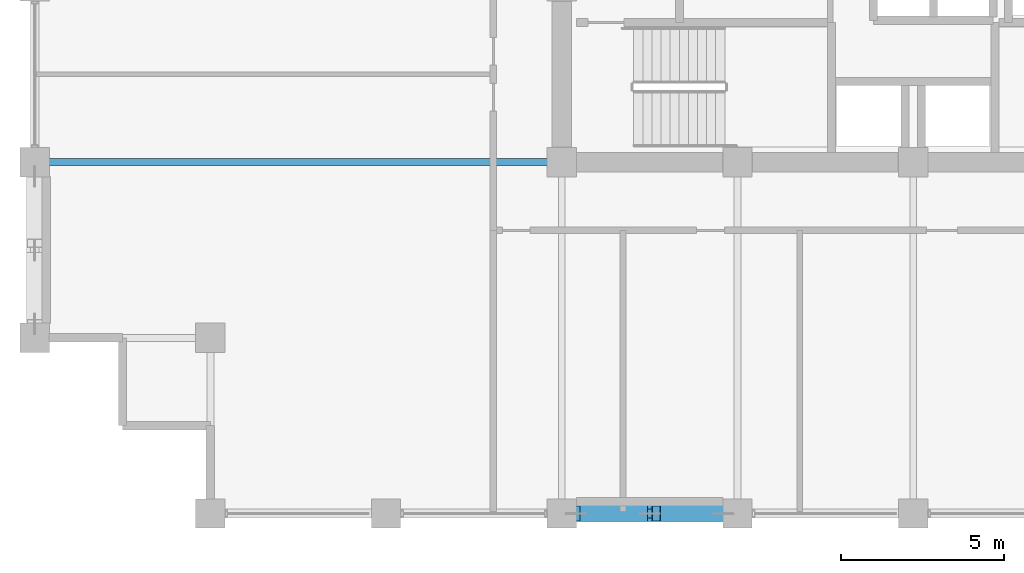
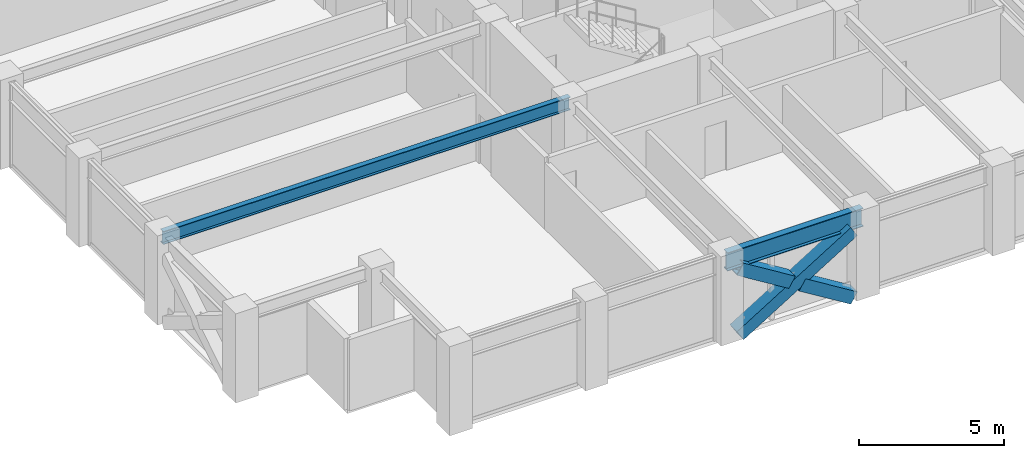
# One storey, part 5 of 32: 3 members, 2 beams.
"""IFC4 building model written with IfcOpenShell, lengths in metres."""

from ifc_helpers import new_model, si_unit, direction, frame, origin, origin_2d, place, context, subcontext, project, spatial, hollow_rectangle, i_section, extrude, material, material_profile, profile_set, type_object, element, save


model = new_model("IFC4")

# Units and contexts
model_context = context("Model", 3, precision=1e-05, world=origin(), true_north=direction((0.0, 1.0)))
body_context = subcontext(model_context, "Body", "Model", "MODEL_VIEW")
ifc_project = project(units=[si_unit("LENGTHUNIT", "METRE"), si_unit("AREAUNIT", "SQUARE_METRE"), si_unit("VOLUMEUNIT", "CUBIC_METRE"), si_unit("PLANEANGLEUNIT", "RADIAN"), si_unit("MASSUNIT", "GRAM", prefix="KILO")], contexts=[model_context])

# Site, building, storey
site_placement = place(None, origin())
site = spatial("IfcSite", under=ifc_project, at=site_placement, CompositionType="ELEMENT")
building_placement = place(site_placement, origin())
building = spatial("IfcBuilding", under=site, at=building_placement, Name="Surkhivell Harbour Commons", CompositionType="ELEMENT")
storey_placement = place(building_placement, frame((0.0, 0.0, 208.5)))
storey = spatial("IfcBuildingStorey", under=building, at=storey_placement, Name="L54", CompositionType="ELEMENT", Elevation=208.5)

# Beams
ifc_material_1 = material(Name="Steel S355", Category="steel")
ifc_material_profile_1 = material_profile(ifc_material_1, i_section(OverallWidth=0.2119140625, OverallDepth=0.5439453125, WebThickness=0.0126953125, FlangeThickness=0.021240234375, at=origin_2d()), Name="UB533x210x122")
ifc_profile_set_1 = profile_set([ifc_material_profile_1], Name="Steel S355")
beam_type_1 = type_object("IfcBeamType", Name="BM-GRD-533A", PredefinedType="BEAM", material=ifc_profile_set_1)
beam_1_placement = place(storey_placement, frame((-27.0, -10.800048828125, 3.298095703125), z_axis=(1.0, 0.0, 0.0), x_axis=(0.0, 1.0, 0.0)))
element("IfcBeam", 1, at=beam_1_placement, inside=storey, type_object=beam_type_1, Name="L54 Floor Girder (-27.0,-10.8)", PredefinedType="BEAM", context=body_context, shape_type="SweptSolid", body=[
    extrude(i_section(OverallWidth=0.2119140625, OverallDepth=0.5439453125, WebThickness=0.0126953125, FlangeThickness=0.021240234375, at=origin_2d()), origin(), (0.0, 0.0, 1.0), 16.199951171875),
])
ifc_material_profile_2 = material_profile(ifc_material_1, i_section(OverallWidth=0.26806640625, OverallDepth=0.77001953125, WebThickness=0.015625, FlangeThickness=0.025390625, at=origin_2d()), Name="UB762x267x197")
ifc_profile_set_2 = profile_set([ifc_material_profile_2], Name="Steel S355")
beam_type_2 = type_object("IfcBeamType", Name="BM-SPN-762", PredefinedType="SPANDREL", material=ifc_profile_set_2)
beam_2_placement = place(storey_placement, frame((-10.800048828125, -21.60009765625, 3.18505859375), z_axis=(1.0, 0.0, 0.0), x_axis=(0.0, 1.0, 0.0)))
element("IfcBeam", 2, at=beam_2_placement, inside=storey, type_object=beam_type_2, Name="L54 Tube Spandrel (-10.8,-21.6)", PredefinedType="SPANDREL", context=body_context, shape_type="SweptSolid", body=[
    extrude(i_section(OverallWidth=0.26806640625, OverallDepth=0.77001953125, WebThickness=0.015625, FlangeThickness=0.025390625, at=origin_2d()), origin(), (0.0, 0.0, 1.0), 5.400146484375),
])

# Members
ifc_material_2 = material(Name="Steel S460", Category="steel")
ifc_material_profile_3 = material_profile(ifc_material_2, hollow_rectangle(XDim=0.5, YDim=0.5, WallThickness=0.02490234375, at=origin_2d()), Name="SHS500x500x25")
ifc_profile_set_3 = profile_set([ifc_material_profile_3], Name="Steel S460")
member_type = type_object("IfcMemberType", Name="MEM-BRC-SHS500", PredefinedType="BRACE", material=ifc_profile_set_3)
member_placement = place(storey_placement, frame((-10.364990234375, -21.60009765625, 0.008056640625), z_axis=(0.850971032488, 0.0, 0.525212625387), x_axis=(0.0, 1.0, 0.0)))
element("IfcMember", 3, at=member_placement, inside=storey, type_object=member_type, Name="L54 Perimeter Mega-Brace MB- 07", PredefinedType="BRACE", context=body_context, shape_type="SweptSolid", body=[
    extrude(hollow_rectangle(XDim=0.5, YDim=0.5, WallThickness=0.02490234375, at=origin_2d()), origin(), (0.0, 0.0, 1.0), 5.323486328125),
])
for number, where, z_axis, x_axis, name in (
    (4, (-5.8349609375, -21.60009765625, 0.008056640625), (-0.8510034189, 0.0, 0.525160147974), (0.0, -1.0, 0.0), "L54 Perimeter Mega-Brace MB- 08"),
    (5, (-8.30419921875, -21.60009765625, 1.531982421875), (-0.850958361341, 0.0, 0.525233155146), (0.0, -1.0, 0.0), "L54 Perimeter Mega-Brace MB- 09"),
):
    element("IfcMember", number, at=place(storey_placement, frame(where, z_axis=z_axis, x_axis=x_axis)), inside=storey, type_object=member_type, Name=name, PredefinedType="BRACE", context=body_context, shape_type="SweptSolid", body=[
        extrude(hollow_rectangle(XDim=0.5, YDim=0.5, WallThickness=0.02490234375, at=origin_2d()), origin(), (0.0, 0.0, 1.0), 2.421630859375),
    ])

save(model, "model.ifc")
